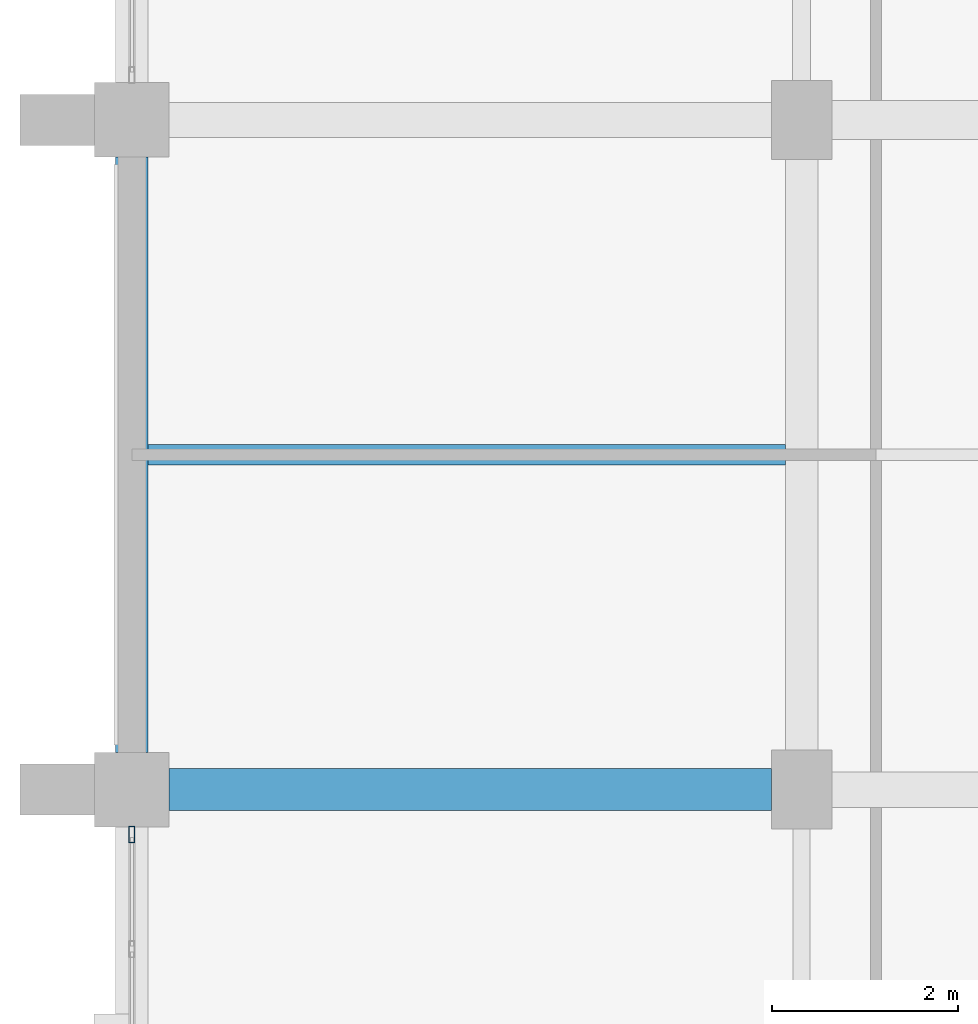
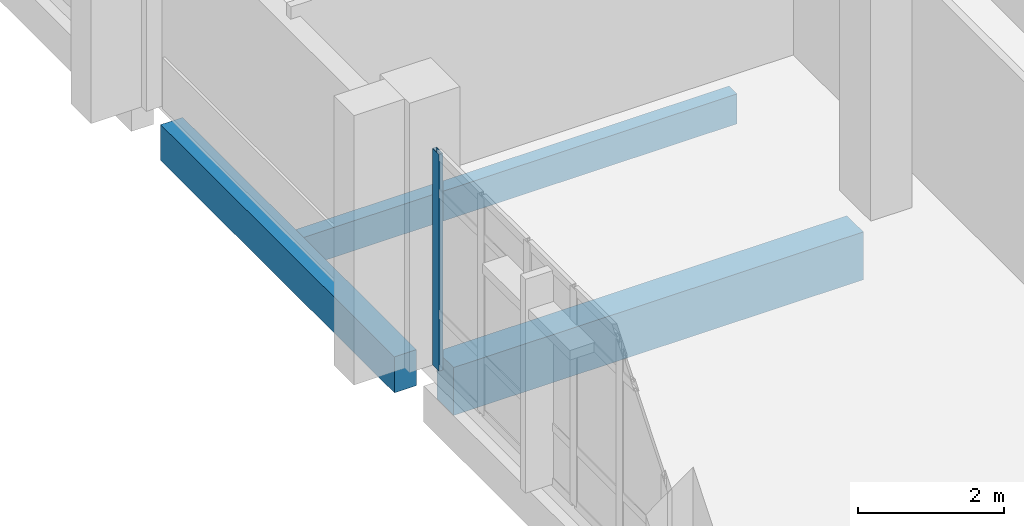
# One storey, part 48 of 134: 3 beams, 1 member, 1 element without a shape of its own.
"""IFC4 building model written with IfcOpenShell, lengths in metres."""

from ifc_helpers import new_model, si_unit, direction, frame, origin, origin_2d, place, context, subcontext, project, spatial, rectangle, hollow_rectangle, extrude, material, material_profile, profile_set, type_object, element, aggregate, save


model = new_model("IFC4")

# Units and contexts
model_context = context("Model", 3, precision=1e-05, world=origin(), true_north=direction((0.0, 1.0)))
body_context = subcontext(model_context, "Body", "Model", "MODEL_VIEW")
ifc_project = project(units=[si_unit("LENGTHUNIT", "METRE"), si_unit("AREAUNIT", "SQUARE_METRE"), si_unit("VOLUMEUNIT", "CUBIC_METRE"), si_unit("PLANEANGLEUNIT", "RADIAN"), si_unit("MASSUNIT", "GRAM", prefix="KILO")], contexts=[model_context])

# Site, building, storey
site_placement = place(None, origin())
site = spatial("IfcSite", under=ifc_project, at=site_placement, CompositionType="ELEMENT")
building_placement = place(site_placement, origin())
building = spatial("IfcBuilding", under=site, at=building_placement, Name="Kalluvel Institute of Natural Sciences", CompositionType="ELEMENT")
storey_placement = place(building_placement, frame((0.0, 0.0, 5.39990234375)))
storey = spatial("IfcBuildingStorey", under=building, at=storey_placement, Name="L01", CompositionType="ELEMENT", Elevation=5.39990234375)

# Beam
ifc_material_1 = material(Name="Concrete M40", Category="concrete")
ifc_material_profile_1 = material_profile(ifc_material_1, rectangle(XDim=0.449951171875, YDim=0.800048828125, at=origin_2d()), Name="RCB 450x800")
ifc_profile_set_1 = profile_set([ifc_material_profile_1], Name="Concrete M40")
beam_type_1 = type_object("IfcBeamType", Name="BM-RC450x800", PredefinedType="BEAM", material=ifc_profile_set_1)
beam_1_placement = place(storey_placement, frame((14.39990234375, 78.800048828125, -0.699951171875), z_axis=(1.0, 0.0, 0.0), x_axis=(0.0, 1.0, 0.0)))
element("IfcBeam", 1, at=beam_1_placement, inside=storey, type_object=beam_type_1, Name="L01 girder GIR-L01-EW-X140-Y788", PredefinedType="BEAM", context=body_context, shape_type="SweptSolid", body=[
    extrude(rectangle(XDim=0.449951171875, YDim=0.800048828125, at=origin_2d()), origin(), (0.0, 0.0, 1.0), 6.47509765625),
])

# Curtain wall, member
ifc_material_2 = material(Name="Aluminium AW-6063 T6", Category="aluminium")
curtain_wall_type = type_object("IfcCurtainWallType", Name="CW-DRY-45", PredefinedType="USERDEFINED", material=ifc_material_2)
curtain_wall_placement = place(storey_placement, origin())
curtain_wall = element("IfcCurtainWall", 2, at=curtain_wall_placement, inside=storey, type_object=curtain_wall_type, Name="L01 Gothic lancet curtain wall CWA-L01-X140-Y720", ObjectType="UNITISED LANCET FACADE", PredefinedType="USERDEFINED")
ifc_material_profile_2 = material_profile(ifc_material_2, hollow_rectangle(XDim=0.06494140625, YDim=0.179931640625, WallThickness=0.00439453125, at=origin_2d()), Name="CWM 65x180")
ifc_profile_set_2 = profile_set([ifc_material_profile_2], Name="Aluminium AW-6063 T6")
member_type = type_object("IfcMemberType", Name="CWM-65x180", PredefinedType="MULLION", material=ifc_profile_set_2)
member_placement = place(storey_placement, frame((14.0, 78.3173828125, 0.0), z_axis=(0.0, 0.0, 1.0), x_axis=(-1.0, 0.0, 0.0)))
member = element("IfcMember", 3, at=member_placement, type_object=member_type, Name="CW-03 mullion 6", PredefinedType="MULLION", context=body_context, shape_type="SweptSolid", body=[
    extrude(hollow_rectangle(XDim=0.06494140625, YDim=0.179931640625, WallThickness=0.00439453125, at=origin_2d()), origin(), (0.0, 0.0, 1.0), 3.6201171875),
])
aggregate(curtain_wall, [member])

# Beams
ifc_material_profile_3 = material_profile(ifc_material_1, rectangle(XDim=0.35009765625, YDim=0.60009765625, at=origin_2d()), Name="RCB 350x600")
ifc_profile_set_3 = profile_set([ifc_material_profile_3], Name="Concrete M40")
beam_type_2 = type_object("IfcBeamType", Name="SP-RC350x600", PredefinedType="SPANDREL", material=ifc_profile_set_3)
beam_2_placement = place(storey_placement, frame((14.0, 79.199951171875, -0.599853515625), z_axis=(0.0, 1.0, 0.0), x_axis=(-1.0, 0.0, 0.0)))
element("IfcBeam", 4, at=beam_2_placement, inside=storey, type_object=beam_type_2, Name="L01 girder GIR-L01-NS-X140-Y788", PredefinedType="SPANDREL", context=body_context, shape_type="SweptSolid", body=[
    extrude(rectangle(XDim=0.35009765625, YDim=0.60009765625, at=origin_2d()), origin(), (0.0, 0.0, 1.0), 6.400146484375),
])
ifc_material_profile_4 = material_profile(ifc_material_1, rectangle(XDim=0.219970703125, YDim=0.5, at=origin_2d()), Name="WAF 220x500")
ifc_profile_set_4 = profile_set([ifc_material_profile_4], Name="Concrete M40")
beam_type_3 = type_object("IfcBeamType", Name="WJ-220x500", PredefinedType="JOIST", material=ifc_profile_set_4)
beam_3_placement = place(storey_placement, frame((14.175048828125, 82.39990234375, -0.5498046875), z_axis=(1.0, 0.0, 0.0), x_axis=(0.0, 1.0, 0.0)))
element("IfcBeam", 5, at=beam_3_placement, inside=storey, type_object=beam_type_3, Name="L01 floor rib RIB-L01-0650", PredefinedType="JOIST", context=body_context, shape_type="SweptSolid", body=[
    extrude(rectangle(XDim=0.219970703125, YDim=0.5, at=origin_2d()), origin(), (0.0, 0.0, 1.0), 6.849853515625),
])

save(model, "model.ifc")
